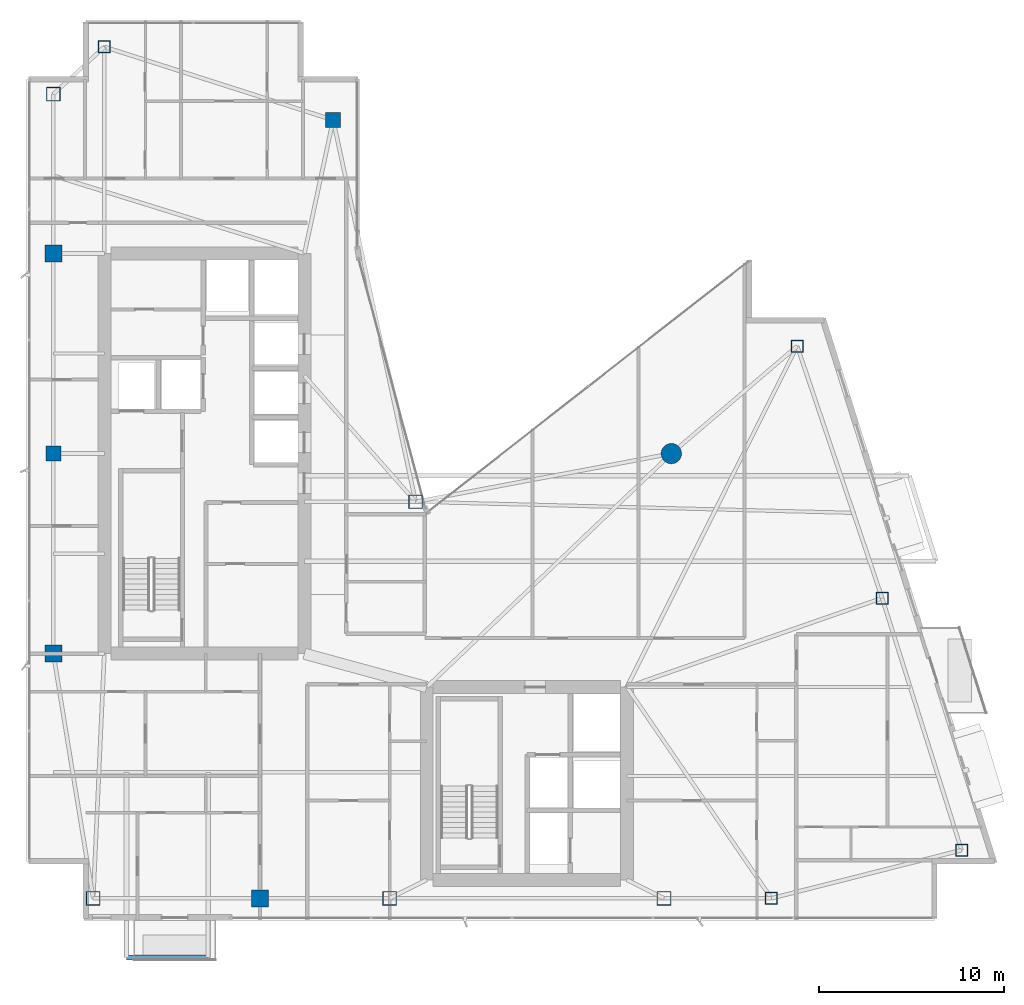
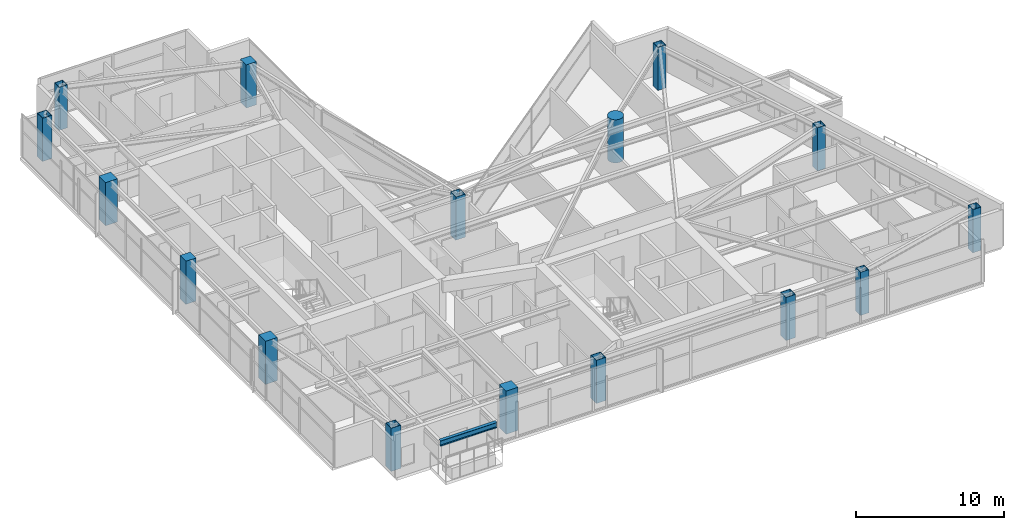
# One storey, part 1 of 30: 16 columns, 1 beam.
"""IFC4 building model written with IfcOpenShell, lengths in metres."""

from ifc_helpers import new_model, si_unit, direction, frame, origin, origin_2d, place, context, subcontext, project, spatial, rectangle, hollow_rectangle, circle, i_section, extrude, material, material_profile, profile_set, type_object, element, save


model = new_model("IFC4")

# Units and contexts
model_context = context("Model", 3, precision=1e-05, world=origin(), true_north=direction((0.0, 1.0)))
body_context = subcontext(model_context, "Body", "Model", "MODEL_VIEW")
ifc_project = project(units=[si_unit("LENGTHUNIT", "METRE"), si_unit("AREAUNIT", "SQUARE_METRE"), si_unit("VOLUMEUNIT", "CUBIC_METRE"), si_unit("PLANEANGLEUNIT", "RADIAN"), si_unit("MASSUNIT", "GRAM", prefix="KILO")], contexts=[model_context])

# Site, building, storey
site_placement = place(None, origin())
site = spatial("IfcSite", under=ifc_project, at=site_placement, CompositionType="ELEMENT")
building_placement = place(site_placement, origin())
building = spatial("IfcBuilding", under=site, at=building_placement, Name="Calvorn Quay Hotel", CompositionType="ELEMENT")
storey_placement = place(building_placement, frame((0.0, 0.0, 203.39990234375)))
storey = spatial("IfcBuildingStorey", under=building, at=storey_placement, Name="L50", CompositionType="ELEMENT", Elevation=203.39990234375)

# Columns
ifc_material_1 = material(Name="Concrete C45", Category="concrete")
ifc_material_profile_1 = material_profile(ifc_material_1, rectangle(XDim=0.800048828125, YDim=0.800048828125, at=origin_2d()), Name="RC800x800")
ifc_profile_set_1 = profile_set([ifc_material_profile_1], Name="Concrete C45")
column_type_1 = type_object("IfcColumnType", Name="COL-RC-800", PredefinedType="COLUMN", material=ifc_profile_set_1)
for number, where, z_axis, x_axis, name in (
    (1, (1.449951171875, 27.60009765625, 0.0), (0.0, 0.0, 1.0), (1.0, 0.0, 0.0), "Column C-W3 (L50)"),
    (2, (16.550048828125, 45.60009765625, 0.0), (0.0, 0.0, 1.0), (1.0, 0.0, 0.0), "Column C-IC1 (L50)"),
):
    element("IfcColumn", number, at=place(storey_placement, frame(where, z_axis=z_axis, x_axis=x_axis)), inside=storey, type_object=column_type_1, Name=name, PredefinedType="COLUMN", context=body_context, shape_type="SweptSolid", body=[
        extrude(rectangle(XDim=0.800048828125, YDim=0.800048828125, at=origin_2d()), origin(), (0.0, 0.0, 1.0), 3.56005859375),
    ])
ifc_material_2 = material(Name="Concrete C45", Category="concrete")
ifc_material_profile_2 = material_profile(ifc_material_2, rectangle(XDim=0.919921875, YDim=0.919921875, at=origin_2d()), Name="RC920x920")
ifc_profile_set_2 = profile_set([ifc_material_profile_2], Name="Concrete C45")
column_type_2 = type_object("IfcColumnType", Name="COL-RC-920", PredefinedType="COLUMN", material=ifc_profile_set_2)
for number, where, z_axis, x_axis, name in (
    (3, (1.449951171875, 16.800048828125, 0.0), (0.0, 0.0, 1.0), (1.0, 0.0, 0.0), "Column C-W2 (L50)"),
    (4, (1.449951171875, 38.39990234375, 0.0), (0.0, 0.0, 1.0), (1.0, 0.0, 0.0), "Column C-W4 (L50)"),
    (5, (12.60009765625, 3.60009765625, 0.0), (0.0, 0.0, 1.0), (1.0, 0.0, 0.0), "Column C-S1 (L50)"),
):
    element("IfcColumn", number, at=place(storey_placement, frame(where, z_axis=z_axis, x_axis=x_axis)), inside=storey, type_object=column_type_2, Name=name, PredefinedType="COLUMN", context=body_context, shape_type="SweptSolid", body=[
        extrude(rectangle(XDim=0.919921875, YDim=0.919921875, at=origin_2d()), origin(), (0.0, 0.0, 1.0), 3.56005859375),
    ])
ifc_material_3 = material(Name="Concrete C50", Category="concrete")
ifc_material_profile_3 = material_profile(ifc_material_3, circle(Radius=0.550048828125, at=origin_2d()), Name="RCD1100")
ifc_profile_set_3 = profile_set([ifc_material_profile_3], Name="Concrete C50")
column_type_3 = type_object("IfcColumnType", Name="COL-RC-D1100", PredefinedType="COLUMN", material=ifc_profile_set_3)
column_placement = place(storey_placement, frame((34.800048828125, 27.60009765625, 0.0), z_axis=(0.0, 0.0, 1.0), x_axis=(1.0, 0.0, 0.0)))
element("IfcColumn", 6, at=column_placement, inside=storey, type_object=column_type_3, Name="Column C-NC1 (L50)", PredefinedType="COLUMN", context=body_context, shape_type="SweptSolid", body=[
    extrude(circle(Radius=0.550048828125, at=origin_2d()), origin(), (0.0, 0.0, 1.0), 3.56005859375),
])
ifc_material_4 = material(Name="Steel Q390GJC", Category="steel")
ifc_material_profile_4 = material_profile(ifc_material_4, hollow_rectangle(XDim=0.75, YDim=0.75, WallThickness=0.031982421875, at=origin_2d()), Name="BOX750x750x32")
ifc_profile_set_4 = profile_set([ifc_material_profile_4], Name="Steel Q390GJC")
column_type_4 = type_object("IfcColumnType", Name="COL-STL-Z3", PredefinedType="COLUMN", material=ifc_profile_set_4)
for number, where, z_axis, x_axis, name in (
    (7, (3.60009765625, 3.60009765625, 0.0), (0.0, 0.0, 1.0), (1.0, 0.0, 0.0), "Column C-W1 (L50)"),
    (8, (1.449951171875, 47.0, 0.0), (0.0, 0.0, 1.0), (1.0, 0.0, 0.0), "Column C-W5 (L50)"),
    (9, (21.0, 25.0, 0.0), (0.0, 0.0, 1.0), (1.0, 0.0, 0.0), "Column C-IC2 (L50)"),
    (10, (19.60009765625, 3.60009765625, 0.0), (0.0, 0.0, 1.0), (1.0, 0.0, 0.0), "Column C-S2 (L50)"),
    (11, (34.39990234375, 3.60009765625, 0.0), (0.0, 0.0, 1.0), (1.0, 0.0, 0.0), "Column C-S3 (L50)"),
):
    element("IfcColumn", number, at=place(storey_placement, frame(where, z_axis=z_axis, x_axis=x_axis)), inside=storey, type_object=column_type_4, Name=name, PredefinedType="COLUMN", context=body_context, shape_type="SweptSolid", body=[
        extrude(hollow_rectangle(XDim=0.75, YDim=0.75, WallThickness=0.031982421875, at=origin_2d()), origin(), (0.0, 0.0, 1.0), 3.56005859375),
    ])
ifc_material_5 = material(Name="Steel Q355B", Category="steel")
ifc_material_profile_5 = material_profile(ifc_material_5, hollow_rectangle(XDim=0.64990234375, YDim=0.64990234375, WallThickness=0.028076171875, at=origin_2d()), Name="BOX650x650x28")
ifc_profile_set_5 = profile_set([ifc_material_profile_5], Name="Steel Q355B")
column_type_5 = type_object("IfcColumnType", Name="COL-STL-Z4", PredefinedType="COLUMN", material=ifc_profile_set_5)
for number, where, z_axis, x_axis, name in (
    (12, (4.199951171875, 49.550048828125, 0.0), (0.0, 0.0, 1.0), (1.0, 0.0, 0.0), "Column C-NW1 (L50)"),
    (13, (40.199951171875, 3.60009765625, 0.0), (0.0, 0.0, 1.0), (1.0, 0.0, 0.0), "Column C-S4 (L50)"),
    (14, (50.4609375, 6.199951171875, 0.0), (0.0, 0.0, 1.0), (1.0, 0.0, 0.0), "Column C-ET1 (L50)"),
    (15, (46.176025390625, 19.800048828125, 0.0), (0.0, 0.0, 1.0), (1.0, 0.0, 0.0), "Column C-ET2 (L50)"),
    (16, (41.591064453125, 33.39990234375, 0.0), (0.0, 0.0, 1.0), (1.0, 0.0, 0.0), "Column C-ET3 (L50)"),
):
    element("IfcColumn", number, at=place(storey_placement, frame(where, z_axis=z_axis, x_axis=x_axis)), inside=storey, type_object=column_type_5, Name=name, PredefinedType="COLUMN", context=body_context, shape_type="SweptSolid", body=[
        extrude(hollow_rectangle(XDim=0.64990234375, YDim=0.64990234375, WallThickness=0.028076171875, at=origin_2d()), origin(), (0.0, 0.0, 1.0), 3.56005859375),
    ])

# Beam
ifc_material_6 = material(Name="Steel Q355B", Category="steel")
ifc_material_profile_6 = material_profile(ifc_material_6, i_section(OverallWidth=0.25, OverallDepth=0.449951171875, WebThickness=0.011962890625, FlangeThickness=0.01611328125, FilletRadius=0.01611328125, at=origin_2d()), Name="HN450x250x12x16")
ifc_profile_set_6 = profile_set([ifc_material_profile_6], Name="Steel Q355B")
beam_type = type_object("IfcBeamType", Name="BM-CANT-BALC", PredefinedType="BEAM", material=ifc_profile_set_6)
beam_placement = place(storey_placement, frame((5.39990234375, 0.409912109375, 3.315185546875), z_axis=(1.0, 0.0, 0.0), x_axis=(0.0, 1.0, 0.0)))
element("IfcBeam", 17, at=beam_placement, inside=storey, type_object=beam_type, Name="Beam BCBO-L51-2", PredefinedType="BEAM", context=body_context, shape_type="SweptSolid", body=[
    extrude(i_section(OverallWidth=0.25, OverallDepth=0.449951171875, WebThickness=0.011962890625, FlangeThickness=0.01611328125, FilletRadius=0.01611328125, at=origin_2d()), origin(), (0.0, 0.0, 1.0), 4.400146484375),
])

save(model, "model.ifc")
